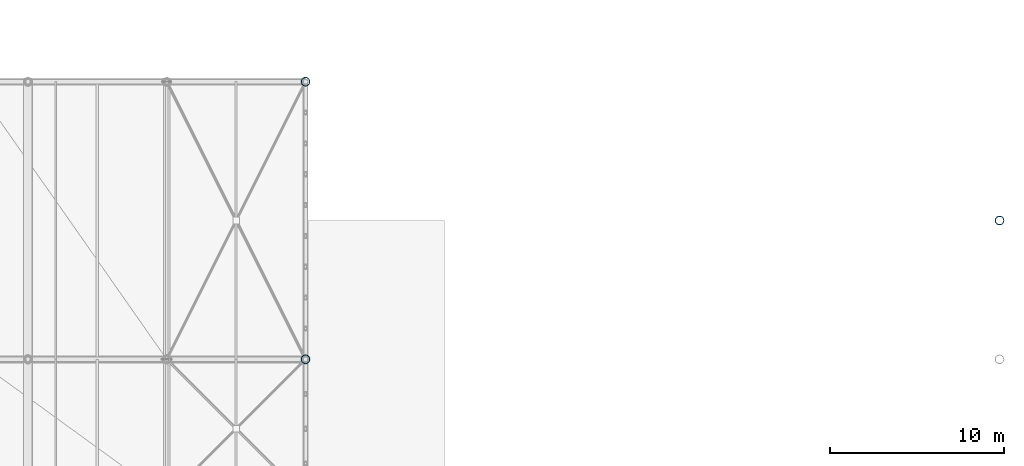
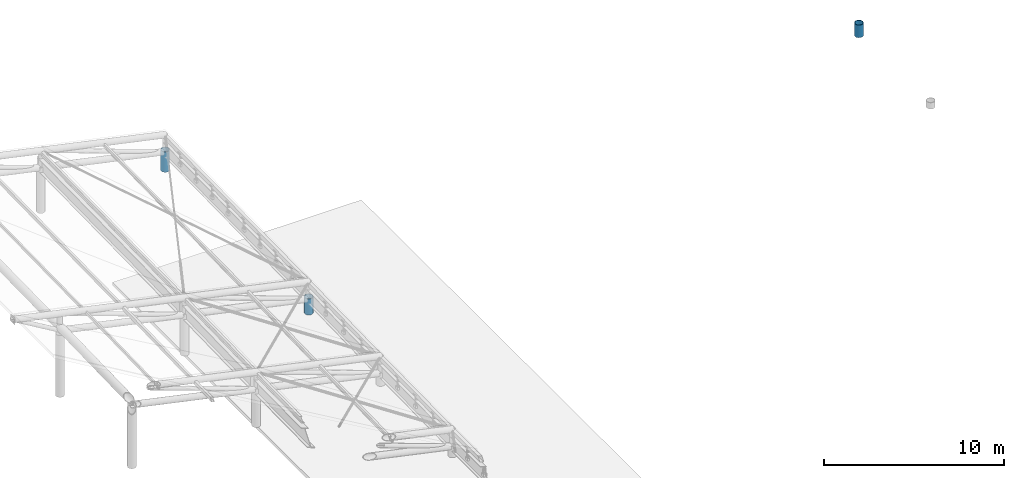
# One storey, part 10 of 41: 3 columns.
"""IFC4 building model written with IfcOpenShell, lengths in metres."""

from ifc_helpers import new_model, si_unit, direction, frame, origin, origin_2d, place, context, subcontext, project, spatial, hollow_circle, extrude, material, material_profile, profile_set, type_object, element, save


model = new_model("IFC4")

# Units and contexts
model_context = context("Model", 3, precision=1e-05, world=origin(), true_north=direction((0.0, 1.0)))
body_context = subcontext(model_context, "Body", "Model", "MODEL_VIEW")
ifc_project = project(units=[si_unit("LENGTHUNIT", "METRE"), si_unit("AREAUNIT", "SQUARE_METRE"), si_unit("VOLUMEUNIT", "CUBIC_METRE"), si_unit("PLANEANGLEUNIT", "RADIAN"), si_unit("MASSUNIT", "GRAM", prefix="KILO")], contexts=[model_context])

# Site, building, storey
site_placement = place(None, origin())
site = spatial("IfcSite", under=ifc_project, at=site_placement, CompositionType="ELEMENT")
building_placement = place(site_placement, origin())
building = spatial("IfcBuilding", under=site, at=building_placement, Name="Haebicheon Civic Stadium", CompositionType="ELEMENT")
storey_placement = place(building_placement, frame((0.0, 0.0, 27.0)))
storey = spatial("IfcBuildingStorey", under=building, at=storey_placement, Name="L07", CompositionType="ELEMENT", Elevation=27.0)

# Columns
ifc_material = material(Name="White painted steel SM490", Category="steel")
ifc_material_profile = material_profile(ifc_material, hollow_circle(Radius=0.25390625, WallThickness=0.02490234375, at=origin_2d()), Name="CHS-508.0x25.0")
ifc_profile_set = profile_set([ifc_material_profile], Name="White painted steel SM490")
column_type = type_object("IfcColumnType", Name="COL-ST-CHS508", PredefinedType="COLUMN", material=ifc_profile_set)
column_1_placement = place(storey_placement, frame((152.0, 120.0, 0.0), z_axis=(0.0, 0.0, 1.0), x_axis=(1.0, 0.0, 0.0)))
element("IfcColumn", 1, at=column_1_placement, inside=storey, type_object=column_type, material=ifc_profile_set, Name="Bowl/canopy support column 152/120 (L07)", PredefinedType="COLUMN", context=body_context, shape_type="SweptSolid", body=[
    extrude(hollow_circle(Radius=0.25390625, WallThickness=0.02490234375, at=origin_2d()), origin(), (0.0, 0.0, 1.0), 1.097900390625),
])
column_2_placement = place(storey_placement, frame((152.0, 136.0, 0.0), z_axis=(0.0, 0.0, 1.0), x_axis=(1.0, 0.0, 0.0)))
element("IfcColumn", 2, at=column_2_placement, inside=storey, type_object=column_type, material=ifc_profile_set, Name="Bowl/canopy support column 152/136 (L07)", PredefinedType="COLUMN", context=body_context, shape_type="SweptSolid", body=[
    extrude(hollow_circle(Radius=0.25390625, WallThickness=0.02490234375, at=origin_2d()), origin(), (0.0, 0.0, 1.0), 1.386962890625),
])
column_3_placement = place(storey_placement, frame((192.0, 128.0, 0.0), z_axis=(0.0, 0.0, 1.0), x_axis=(1.0, 0.0, 0.0)))
element("IfcColumn", 3, at=column_3_placement, inside=storey, type_object=column_type, material=ifc_profile_set, Name="Bowl/canopy support column 192/128 (L07)", PredefinedType="COLUMN", context=body_context, shape_type="SweptSolid", body=[
    extrude(hollow_circle(Radius=0.25390625, WallThickness=0.02490234375, at=origin_2d()), origin(), (0.0, 0.0, 1.0), 0.85205078125),
])

save(model, "model.ifc")
